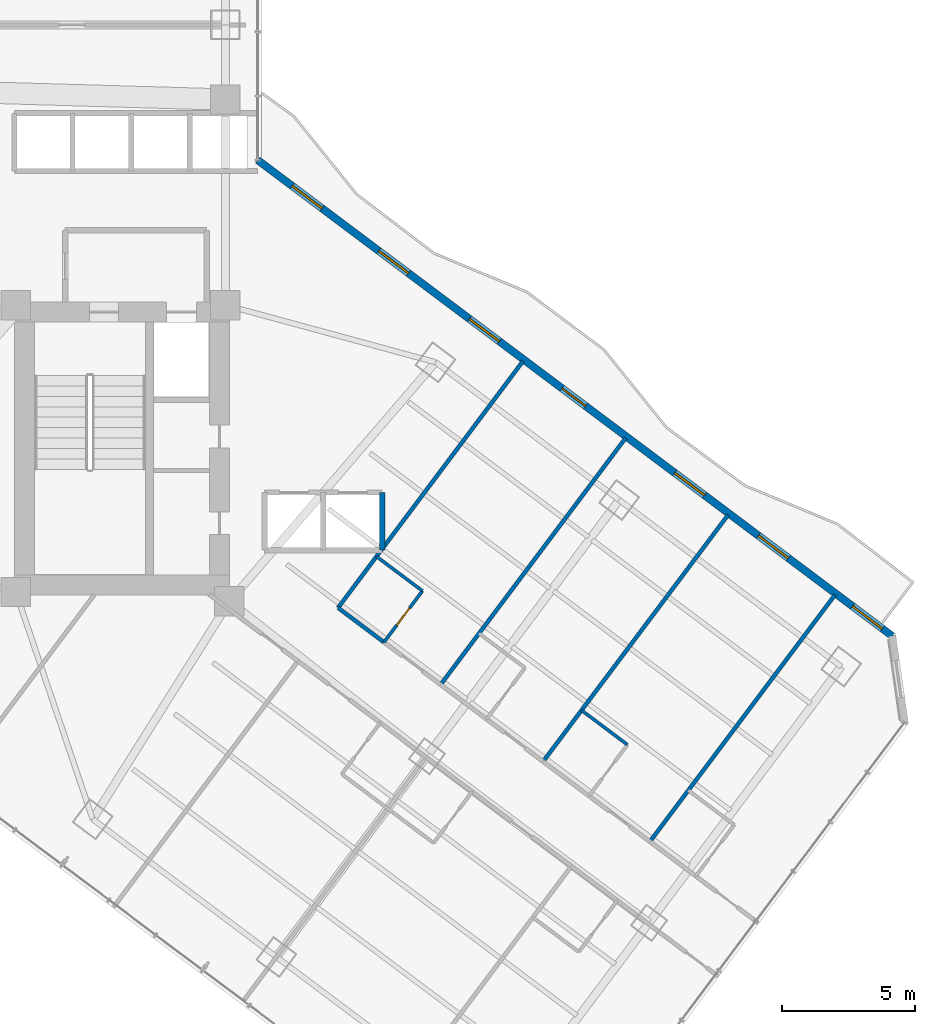
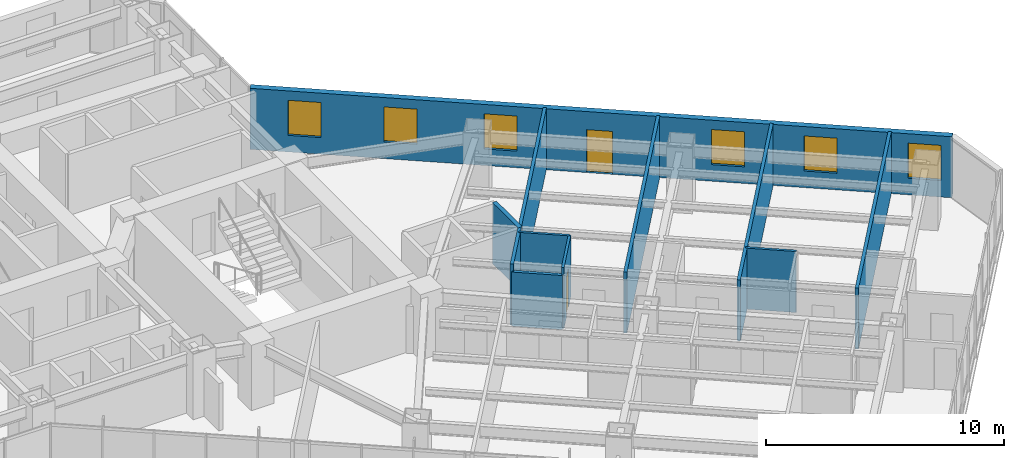
# One storey, part 30 of 38: 10 walls, 6 windows, 2 doors, 8 openings.
"""IFC4 building model written with IfcOpenShell, lengths in metres."""

from ifc_helpers import new_model, si_unit, direction, frame, frame_2d, origin, place, context, subcontext, project, spatial, rectangle, extrude, material, layer, layer_set, type_object, element, fill, save


model = new_model("IFC4")

# Units and contexts
model_context = context("Model", 3, precision=1e-05, world=origin(), true_north=direction((0.0, 1.0)))
body_context = subcontext(model_context, "Body", "Model", "MODEL_VIEW")
ifc_project = project(units=[si_unit("LENGTHUNIT", "METRE"), si_unit("AREAUNIT", "SQUARE_METRE"), si_unit("VOLUMEUNIT", "CUBIC_METRE"), si_unit("PLANEANGLEUNIT", "RADIAN"), si_unit("MASSUNIT", "GRAM", prefix="KILO")], contexts=[model_context])

# Site, building, storey
site_placement = place(None, origin())
site = spatial("IfcSite", under=ifc_project, at=site_placement, CompositionType="ELEMENT")
building_placement = place(site_placement, origin())
building = spatial("IfcBuilding", under=site, at=building_placement, Name="Hatsunagi Terrace Concourse", CompositionType="ELEMENT")
storey_placement = place(building_placement, frame((0.0, 0.0, 63.39990234375)))
storey = spatial("IfcBuildingStorey", under=building, at=storey_placement, Name="L16", CompositionType="ELEMENT", Elevation=63.39990234375)

# Wall, opening, door
ifc_material_1 = material(Name="Acoustic mineral board", Category="gypsum")
ifc_layer_1 = layer(ifc_material_1, 0.1201171875)
ifc_layer_set_1 = layer_set([ifc_layer_1], Name="PartitionWall_EI30_120")
wall_type_1 = type_object("IfcWallType", Name="PartitionWall_EI30_120", PredefinedType="PARTITIONING", material=ifc_layer_set_1)
wall_1_placement = place(storey_placement, frame((49.590087890625, 22.669921875, 0.0), z_axis=(0.0, 0.0, 1.0), x_axis=(0.599951172744, 0.800036618114, 0.0)))
wall_1 = element("IfcWall", 1, at=wall_1_placement, inside=storey, type_object=wall_type_1, Name="Interior Partition IW-L16-079", PredefinedType="PARTITIONING", context=body_context, shape_type="SweptSolid", body=[
    extrude(rectangle(XDim=2.400146484375, YDim=0.1201171875, at=frame_2d((1.2001953125, 0.0))), origin(), (0.0, 0.0, 1.0), 3.130126953125),
])
opening_1_placement = place(wall_1_placement, frame((0.800048828125, 0.0, 0.0)))
opening_1 = element("IfcOpeningElement", 2, at=opening_1_placement, cuts=wall_1, Name="Opening DR-080", PredefinedType="OPENING", context=body_context, shape_type="SweptSolid", body=[
    extrude(rectangle(XDim=0.800048828125, YDim=2.06005859375, at=frame_2d((0.39990234375, 1.030029296875))), frame((0.0, 0.070068359375, 0.0), z_axis=(0.0, -1.0, 0.0), x_axis=(1.0, 0.0, 0.0)), (0.0, 0.0, 1.0), 0.14013671875),
])
ifc_material_2 = material(Name="Hardwood timber", Category="wood")
door_type_1 = type_object("IfcDoorType", Name="BathroomDoor_800", OperationType="NOTDEFINED", PredefinedType="DOOR", material=ifc_material_2)
door_1_placement = place(opening_1_placement, origin())
door_1 = element("IfcDoor", 3, at=door_1_placement, inside=storey, type_object=door_type_1, Name="En-Suite Bathroom L16-SENE1 Door", OperationType="SINGLE_SWING_LEFT", OverallHeight=2.06005859375, OverallWidth=0.800048828125, PredefinedType="DOOR", context=body_context, shape_type="SweptSolid", body=[
    extrude(rectangle(XDim=0.800048828125, YDim=2.06005859375, at=frame_2d((0.39990234375, 1.030029296875))), frame((0.0, 0.02490234375, 0.0), z_axis=(0.0, -1.0, 0.0), x_axis=(1.0, 0.0, 0.0)), (0.0, 0.0, 1.0), 0.050048828125),
])
fill(opening_1, door_1)

# Walls
for number, where, z_axis, x_axis, name in (
    (4, (49.31005859375, 25.8798828125, 0.0), (0.0, 0.0, 1.0), (0.800040880289, -0.59994548908, 0.0), "Interior Partition IW-L16-080"),
    (5, (56.989990234375, 20.1201171875, 0.0), (0.0, 0.0, 1.0), (0.79998637334, -0.60001816845, 0.0), "Interior Partition IW-L16-091"),
):
    element("IfcWall", number, at=place(storey_placement, frame(where, z_axis=z_axis, x_axis=x_axis)), inside=storey, type_object=wall_type_1, Name=name, PredefinedType="PARTITIONING", context=body_context, shape_type="SweptSolid", body=[
        extrude(rectangle(XDim=2.14990234375, YDim=0.1201171875, at=frame_2d((1.074951171875, 0.0))), origin(), (0.0, 0.0, 1.0), 3.130126953125),
    ])
ifc_material_3 = material(Name="Acoustic mineral board", Category="gypsum")
ifc_layer_2 = layer(ifc_material_3, 0.14990234375)
ifc_layer_set_2 = layer_set([ifc_layer_2], Name="PartitionWall_EI60_150")
wall_type_2 = type_object("IfcWallType", Name="PartitionWall_EI60_150", PredefinedType="PARTITIONING", material=ifc_layer_set_2)
wall_2_placement = place(storey_placement, frame((47.8701171875, 23.9599609375, 0.0), z_axis=(0.0, 0.0, 1.0), x_axis=(0.79998637334, -0.60001816845, 0.0)))
element("IfcWall", 6, at=wall_2_placement, inside=storey, type_object=wall_type_2, Name="Interior Partition IW-L16-077", PredefinedType="PARTITIONING", context=body_context, shape_type="SweptSolid", body=[
    extrude(rectangle(XDim=2.14990234375, YDim=0.14990234375, at=frame_2d((1.074951171875, 0.0))), origin(), (0.0, 0.0, 1.0), 2.775146484375),
])
for number, where, z_axis, x_axis, name in (
    (7, (47.8701171875, 23.9599609375, 0.0), (0.0, 0.0, 1.0), (0.599996617946, 0.80000253653, 0.0), "Interior Partition IW-L16-081"),
    (8, (51.7099609375, 21.080078125, 0.0), (0.0, 0.0, 1.0), (0.599996617946, 0.80000253653, 0.0), "Interior Partition IW-L16-082"),
    (9, (55.550048828125, 18.199951171875, 0.0), (0.0, 0.0, 1.0), (0.599996617946, 0.80000253653, 0.0), "Interior Partition IW-L16-087"),
    (10, (59.550048828125, 15.199951171875, 0.0), (0.0, 0.0, 1.0), (0.599996617946, 0.80000253653, 0.0), "Interior Partition IW-L16-092"),
):
    element("IfcWall", number, at=place(storey_placement, frame(where, z_axis=z_axis, x_axis=x_axis)), inside=storey, type_object=wall_type_2, Name=name, PredefinedType="PARTITIONING", context=body_context, shape_type="SweptSolid", body=[
        extrude(rectangle(XDim=11.550048828125, YDim=0.14990234375, at=frame_2d((5.77490234375, 0.0))), origin(), (0.0, 0.0, 1.0), 3.130126953125),
    ])
ifc_material_4 = material(Name="Acoustic mineral board", Category="gypsum")
ifc_layer_3 = layer(ifc_material_4, 0.199951171875)
ifc_layer_set_3 = layer_set([ifc_layer_3], Name="ShaftWall_EI120_200")
wall_type_3 = type_object("IfcWallType", Name="ShaftWall_EI120_200", PredefinedType="STANDARD", material=ifc_layer_set_3)
wall_3_placement = place(storey_placement, frame((49.52001953125, 26.1201171875, 0.0), z_axis=(0.0, 0.0, 1.0), x_axis=(0.0, 1.0, 0.0)))
element("IfcWall", 11, at=wall_3_placement, inside=storey, type_object=wall_type_3, Name="Interior Partition IW-L16-027", PredefinedType="STANDARD", context=body_context, shape_type="SweptSolid", body=[
    extrude(rectangle(XDim=2.159912109375, YDim=0.199951171875, at=frame_2d((1.080078125, 0.0))), origin(), (0.0, 0.0, 1.0), 3.130126953125),
])

# Wall, openings, door, windows
ifc_material_5 = material(Name="Autoclaved Lightweight Concrete and Terracotta Cladding", Category="masonry")
ifc_layer_4 = layer(ifc_material_5, 0.280029296875)
ifc_layer_set_4 = layer_set([ifc_layer_4], Name="TerracottaSpandrelWall_280")
wall_type_4 = type_object("IfcWallType", Name="TerracottaSpandrelWall_280", PredefinedType="STANDARD", material=ifc_layer_set_4)
wall_4_placement = place(storey_placement, frame((44.860107421875, 40.72998046875, 0.0), z_axis=(0.0, 0.0, 1.0), x_axis=(0.800006902154, -0.599990797017, 0.0)))
wall_4 = element("IfcWall", 12, at=wall_4_placement, inside=storey, type_object=wall_type_4, Name="Exterior Spandrel Wall EW-L16-01", PredefinedType="STANDARD", context=body_context, shape_type="SweptSolid", body=[
    extrude(rectangle(XDim=29.7119140625, YDim=0.280029296875, at=frame_2d((14.85595703125, 0.0))), origin(), (0.0, 0.0, 1.0), 3.130126953125),
])
opening_2_placement = place(wall_4_placement, frame((14.2490234375, 0.0, 0.0)))
opening_2 = element("IfcOpeningElement", 13, at=opening_2_placement, cuts=wall_4, Name="Opening BD-01", PredefinedType="OPENING", context=body_context, shape_type="SweptSolid", body=[
    extrude(rectangle(XDim=1.10009765625, YDim=2.199951171875, at=frame_2d((0.550048828125, 1.10009765625))), frame((0.0, 0.14990234375, 0.0), z_axis=(0.0, -1.0, 0.0), x_axis=(1.0, 0.0, 0.0)), (0.0, 0.0, 1.0), 0.300048828125),
])
opening_3_placement = place(wall_4_placement, frame((1.612060546875, 0.0, 0.85009765625)))
opening_3 = element("IfcOpeningElement", 14, at=opening_3_placement, cuts=wall_4, Name="Opening WIN-02", PredefinedType="OPENING", context=body_context, shape_type="SweptSolid", body=[
    extrude(rectangle(XDim=1.39990234375, YDim=1.800048828125, at=frame_2d((0.699951171875, 0.89990234375))), frame((0.0, 0.14990234375, 0.0), z_axis=(0.0, -1.0, 0.0), x_axis=(1.0, 0.0, 0.0)), (0.0, 0.0, 1.0), 0.300048828125),
])
opening_4_placement = place(wall_4_placement, frame((5.6669921875, 0.0, 0.85009765625)))
opening_4 = element("IfcOpeningElement", 15, at=opening_4_placement, cuts=wall_4, Name="Opening WIN-02", PredefinedType="OPENING", context=body_context, shape_type="SweptSolid", body=[
    extrude(rectangle(XDim=1.39990234375, YDim=1.800048828125, at=frame_2d((0.699951171875, 0.89990234375))), frame((0.0, 0.14990234375, 0.0), z_axis=(0.0, -1.0, 0.0), x_axis=(1.0, 0.0, 0.0)), (0.0, 0.0, 1.0), 0.300048828125),
])
opening_5_placement = place(wall_4_placement, frame((9.912109375, 0.0, 0.85009765625)))
opening_5 = element("IfcOpeningElement", 16, at=opening_5_placement, cuts=wall_4, Name="Opening WIN-02", PredefinedType="OPENING", context=body_context, shape_type="SweptSolid", body=[
    extrude(rectangle(XDim=1.39990234375, YDim=1.800048828125, at=frame_2d((0.699951171875, 0.89990234375))), frame((0.0, 0.14990234375, 0.0), z_axis=(0.0, -1.0, 0.0), x_axis=(1.0, 0.0, 0.0)), (0.0, 0.0, 1.0), 0.300048828125),
])
opening_6_placement = place(wall_4_placement, frame((19.528076171875, 0.0, 0.85009765625)))
opening_6 = element("IfcOpeningElement", 17, at=opening_6_placement, cuts=wall_4, Name="Opening WIN-02", PredefinedType="OPENING", context=body_context, shape_type="SweptSolid", body=[
    extrude(rectangle(XDim=1.39990234375, YDim=1.800048828125, at=frame_2d((0.699951171875, 0.89990234375))), frame((0.0, 0.14990234375, 0.0), z_axis=(0.0, -1.0, 0.0), x_axis=(1.0, 0.0, 0.0)), (0.0, 0.0, 1.0), 0.300048828125),
])
opening_7_placement = place(wall_4_placement, frame((23.450927734375, 0.0, 0.85009765625)))
opening_7 = element("IfcOpeningElement", 18, at=opening_7_placement, cuts=wall_4, Name="Opening WIN-02", PredefinedType="OPENING", context=body_context, shape_type="SweptSolid", body=[
    extrude(rectangle(XDim=1.39990234375, YDim=1.800048828125, at=frame_2d((0.699951171875, 0.89990234375))), frame((0.0, 0.14990234375, 0.0), z_axis=(0.0, -1.0, 0.0), x_axis=(1.0, 0.0, 0.0)), (0.0, 0.0, 1.0), 0.300048828125),
])
opening_8_placement = place(wall_4_placement, frame((27.85205078125, 0.0, 0.85009765625)))
opening_8 = element("IfcOpeningElement", 19, at=opening_8_placement, cuts=wall_4, Name="Opening WIN-02", PredefinedType="OPENING", context=body_context, shape_type="SweptSolid", body=[
    extrude(rectangle(XDim=1.39990234375, YDim=1.800048828125, at=frame_2d((0.699951171875, 0.89990234375))), frame((0.0, 0.14990234375, 0.0), z_axis=(0.0, -1.0, 0.0), x_axis=(1.0, 0.0, 0.0)), (0.0, 0.0, 1.0), 0.300048828125),
])
ifc_material_6 = material(Name="Galvanised Steel and Laminated Safety Glass", Category="steel")
door_type_2 = type_object("IfcDoorType", Name="BalconyTerraceAccessDoor_1100x2200", OperationType="SINGLE_SWING_LEFT", PredefinedType="DOOR", material=ifc_material_6)
door_2_placement = place(opening_2_placement, origin())
door_2 = element("IfcDoor", 20, at=door_2_placement, inside=storey, type_object=door_type_2, Name="Engawa Balcony Door L16-BSE", OperationType="SINGLE_SWING_LEFT", OverallHeight=2.199951171875, OverallWidth=1.10009765625, PredefinedType="DOOR", context=body_context, shape_type="SweptSolid", body=[
    extrude(rectangle(XDim=1.10009765625, YDim=2.199951171875, at=frame_2d((0.550048828125, 1.10009765625))), frame((0.0, 0.02490234375, 0.0), z_axis=(0.0, -1.0, 0.0), x_axis=(1.0, 0.0, 0.0)), (0.0, 0.0, 1.0), 0.050048828125),
])
fill(opening_2, door_2)
ifc_material_7 = material(Name="Thermally Broken Aluminium and Low-E Triple Glazing", Category="aluminium")
window_type = type_object("IfcWindowType", Name="HotelOperableVentWindow_1400x1800", PartitioningType="DOUBLE_PANEL_VERTICAL", PredefinedType="WINDOW", material=ifc_material_7)
window_1_placement = place(opening_3_placement, origin())
window_1 = element("IfcWindow", 21, at=window_1_placement, inside=storey, type_object=window_type, Name="Balcony Daylighting Window L16-01-1", OverallHeight=1.800048828125, OverallWidth=1.39990234375, PartitioningType="SINGLE_PANEL", PredefinedType="WINDOW", context=body_context, shape_type="SweptSolid", body=[
    extrude(rectangle(XDim=1.39990234375, YDim=1.800048828125, at=frame_2d((0.699951171875, 0.89990234375))), frame((0.0, 0.030029296875, 0.0), z_axis=(0.0, -1.0, 0.0), x_axis=(1.0, 0.0, 0.0)), (0.0, 0.0, 1.0), 0.06005859375),
])
fill(opening_3, window_1)
window_2_placement = place(opening_4_placement, origin())
window_2 = element("IfcWindow", 22, at=window_2_placement, inside=storey, type_object=window_type, Name="Balcony Daylighting Window L16-01-2", OverallHeight=1.800048828125, OverallWidth=1.39990234375, PartitioningType="SINGLE_PANEL", PredefinedType="WINDOW", context=body_context, shape_type="SweptSolid", body=[
    extrude(rectangle(XDim=1.39990234375, YDim=1.800048828125, at=frame_2d((0.699951171875, 0.89990234375))), frame((0.0, 0.030029296875, 0.0), z_axis=(0.0, -1.0, 0.0), x_axis=(1.0, 0.0, 0.0)), (0.0, 0.0, 1.0), 0.06005859375),
])
fill(opening_4, window_2)
window_3_placement = place(opening_5_placement, origin())
window_3 = element("IfcWindow", 23, at=window_3_placement, inside=storey, type_object=window_type, Name="Balcony Daylighting Window L16-01-3", OverallHeight=1.800048828125, OverallWidth=1.39990234375, PartitioningType="SINGLE_PANEL", PredefinedType="WINDOW", context=body_context, shape_type="SweptSolid", body=[
    extrude(rectangle(XDim=1.39990234375, YDim=1.800048828125, at=frame_2d((0.699951171875, 0.89990234375))), frame((0.0, 0.030029296875, 0.0), z_axis=(0.0, -1.0, 0.0), x_axis=(1.0, 0.0, 0.0)), (0.0, 0.0, 1.0), 0.06005859375),
])
fill(opening_5, window_3)
window_4_placement = place(opening_6_placement, origin())
window_4 = element("IfcWindow", 24, at=window_4_placement, inside=storey, type_object=window_type, Name="Balcony Daylighting Window L16-01-5", OverallHeight=1.800048828125, OverallWidth=1.39990234375, PartitioningType="SINGLE_PANEL", PredefinedType="WINDOW", context=body_context, shape_type="SweptSolid", body=[
    extrude(rectangle(XDim=1.39990234375, YDim=1.800048828125, at=frame_2d((0.699951171875, 0.89990234375))), frame((0.0, 0.030029296875, 0.0), z_axis=(0.0, -1.0, 0.0), x_axis=(1.0, 0.0, 0.0)), (0.0, 0.0, 1.0), 0.06005859375),
])
fill(opening_6, window_4)
window_5_placement = place(opening_7_placement, origin())
window_5 = element("IfcWindow", 25, at=window_5_placement, inside=storey, type_object=window_type, Name="Balcony Daylighting Window L16-01-6", OverallHeight=1.800048828125, OverallWidth=1.39990234375, PartitioningType="SINGLE_PANEL", PredefinedType="WINDOW", context=body_context, shape_type="SweptSolid", body=[
    extrude(rectangle(XDim=1.39990234375, YDim=1.800048828125, at=frame_2d((0.699951171875, 0.89990234375))), frame((0.0, 0.030029296875, 0.0), z_axis=(0.0, -1.0, 0.0), x_axis=(1.0, 0.0, 0.0)), (0.0, 0.0, 1.0), 0.06005859375),
])
fill(opening_7, window_5)
window_6_placement = place(opening_8_placement, origin())
window_6 = element("IfcWindow", 26, at=window_6_placement, inside=storey, type_object=window_type, Name="Balcony Daylighting Window L16-01-7", OverallHeight=1.800048828125, OverallWidth=1.39990234375, PartitioningType="SINGLE_PANEL", PredefinedType="WINDOW", context=body_context, shape_type="SweptSolid", body=[
    extrude(rectangle(XDim=1.39990234375, YDim=1.800048828125, at=frame_2d((0.699951171875, 0.89990234375))), frame((0.0, 0.030029296875, 0.0), z_axis=(0.0, -1.0, 0.0), x_axis=(1.0, 0.0, 0.0)), (0.0, 0.0, 1.0), 0.06005859375),
])
fill(opening_8, window_6)

save(model, "model.ifc")
